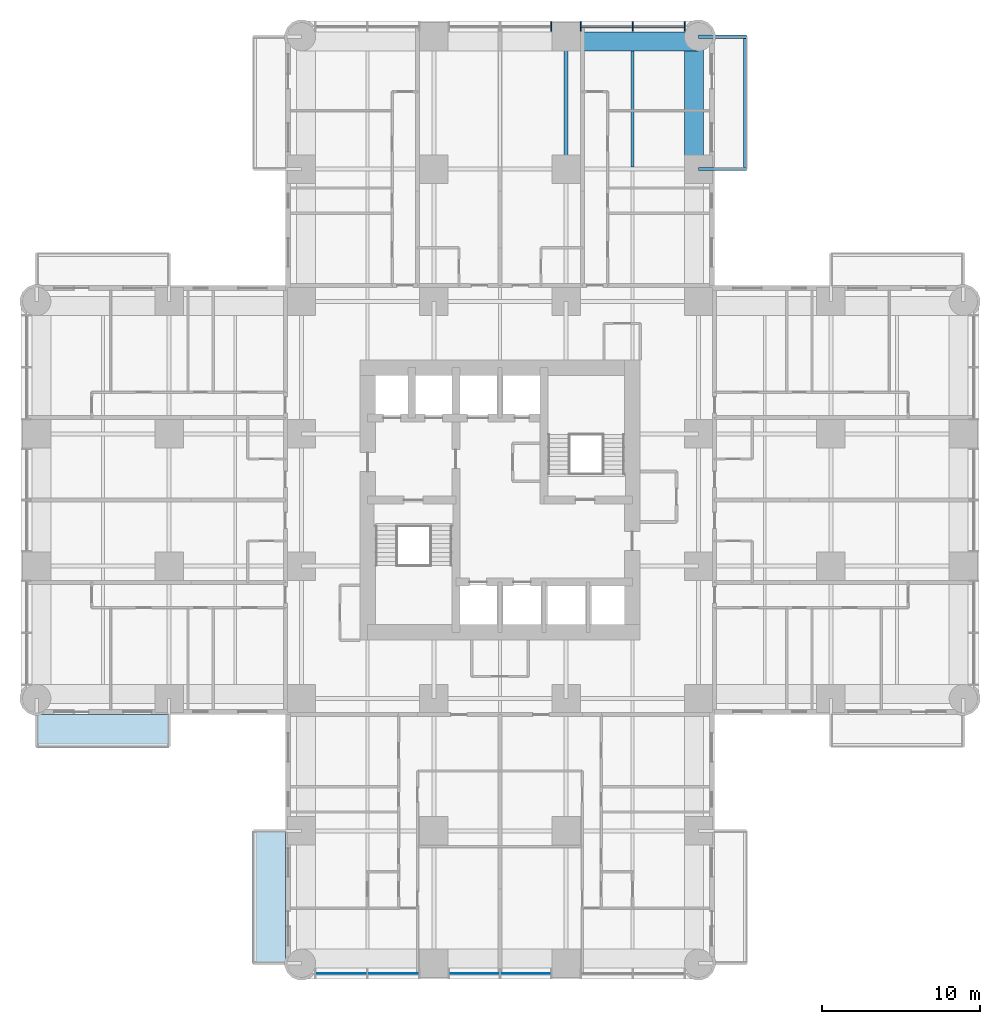
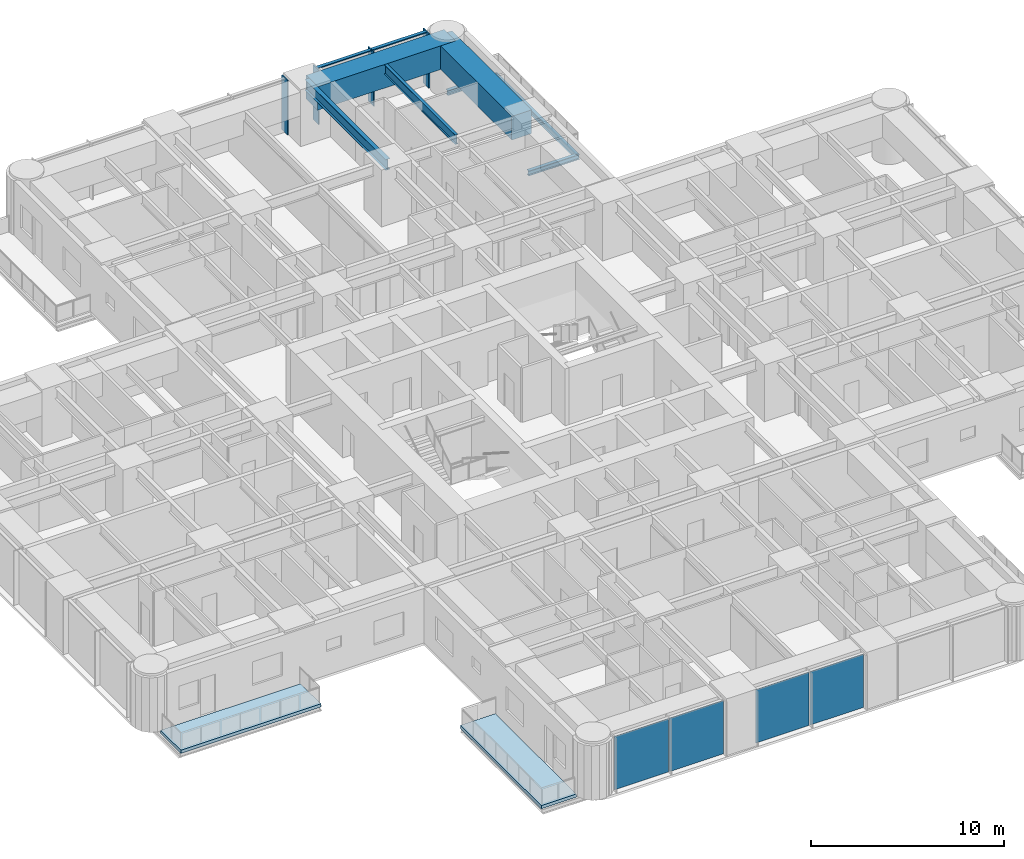
# One storey, part 5 of 17: 7 beams, 6 members, 4 plates, 2 slabs, 2 elements without a shape of their own.
"""IFC4 building model written with IfcOpenShell, lengths in metres."""

from ifc_helpers import new_model, si_unit, direction, frame, origin, origin_2d, place, context, subcontext, project, spatial, polyline, rectangle, i_section, outline, extrude, material, layer, layer_set, material_profile, profile_set, type_object, element, aggregate, save


model = new_model("IFC4")

# Units and contexts
model_context = context("Model", 3, precision=1e-05, world=origin(), true_north=direction((0.0, 1.0)))
body_context = subcontext(model_context, "Body", "Model", "MODEL_VIEW")
ifc_project = project(units=[si_unit("LENGTHUNIT", "METRE"), si_unit("AREAUNIT", "SQUARE_METRE"), si_unit("VOLUMEUNIT", "CUBIC_METRE"), si_unit("PLANEANGLEUNIT", "RADIAN"), si_unit("MASSUNIT", "GRAM", prefix="KILO")], contexts=[model_context])

# Site, building, storey
site_placement = place(None, origin())
site = spatial("IfcSite", under=ifc_project, at=site_placement, CompositionType="ELEMENT")
building_placement = place(site_placement, origin())
building = spatial("IfcBuilding", under=site, at=building_placement, Name="Torre Alcanfor", CompositionType="ELEMENT")
storey_placement = place(building_placement, frame((0.0, 0.0, 88.5)))
storey = spatial("IfcBuildingStorey", under=building, at=storey_placement, Name="L22", CompositionType="ELEMENT", Elevation=88.5)

# Beams
ifc_material_1 = material(Name="Steel ASTM A992 Grade 50", Category="steel")
ifc_material_profile_1 = material_profile(ifc_material_1, i_section(OverallWidth=0.205322265625, OverallDepth=0.309814453125, WebThickness=0.00927734375, FlangeThickness=0.016357421875, at=origin_2d()), Name="W12x50")
ifc_profile_set_1 = profile_set([ifc_material_profile_1], Name="Steel ASTM A992 Grade 50")
beam_type_1 = type_object("IfcBeamType", Name="Balcony cantilever beam W12x50", PredefinedType="BEAM", material=ifc_profile_set_1)
for number, where, z_axis, x_axis, name in (
    (1, (42.0, 50.39990234375, -0.35498046875), (1.0, 0.0, 0.0), (0.0, 1.0, 0.0), "Balcony cantilever beam L22-N2 1"),
    (2, (42.0, 58.800048828125, -0.35498046875), (1.0, 0.0, 0.0), (0.0, 1.0, 0.0), "Balcony cantilever beam L22-N2 2"),
):
    element("IfcBeam", number, at=place(storey_placement, frame(where, z_axis=z_axis, x_axis=x_axis)), inside=storey, type_object=beam_type_1, Name=name, PredefinedType="BEAM", context=body_context, shape_type="SweptSolid", body=[
        extrude(i_section(OverallWidth=0.205322265625, OverallDepth=0.309814453125, WebThickness=0.00927734375, FlangeThickness=0.016357421875, at=origin_2d()), origin(), (0.0, 0.0, 1.0), 3.050048828125),
    ])
ifc_material_2 = material(Name="Steel ASTM A992 Grade 50", Category="steel")
ifc_material_profile_2 = material_profile(ifc_material_2, i_section(OverallWidth=0.203369140625, OverallDepth=0.30224609375, WebThickness=0.007568359375, FlangeThickness=0.01318359375, at=origin_2d()), Name="W12x40")
ifc_profile_set_2 = profile_set([ifc_material_profile_2], Name="Steel ASTM A992 Grade 50")
beam_type_2 = type_object("IfcBeamType", Name="Balcony edge trimmer W12x40", PredefinedType="BEAM", material=ifc_profile_set_2)
beam_1_placement = place(storey_placement, frame((44.9482421875, 50.39990234375, -0.35107421875), z_axis=(0.0, 1.0, 0.0), x_axis=(-1.0, 0.0, 0.0)))
element("IfcBeam", 3, at=beam_1_placement, inside=storey, type_object=beam_type_2, Name="Balcony edge trimmer L22-N2", PredefinedType="BEAM", context=body_context, shape_type="SweptSolid", body=[
    extrude(i_section(OverallWidth=0.203369140625, OverallDepth=0.30224609375, WebThickness=0.007568359375, FlangeThickness=0.01318359375, at=origin_2d()), origin(), (0.0, 0.0, 1.0), 8.400146484375),
])

# Curtain wall, members
ifc_material_3 = material(Name="Aluminium and glass", Category="aluminium")
curtain_wall_type = type_object("IfcCurtainWallType", Name="CW-A unitised apartment glazing with vertical FIN", PredefinedType="NOTDEFINED", material=ifc_material_3)
curtain_wall_1_placement = place(storey_placement, origin())
curtain_wall_1 = element("IfcCurtainWall", 4, at=curtain_wall_1_placement, inside=storey, type_object=curtain_wall_type, Name="Curtain wall CW-A L22 11", PredefinedType="NOTDEFINED")
ifc_material_4 = material(Name="Bronze anodised aluminium", Category="aluminium")
ifc_material_profile_3 = material_profile(ifc_material_4, rectangle(XDim=0.60009765625, YDim=0.06494140625, at=origin_2d()), Name="CW-A mullion 65x600")
ifc_profile_set_3 = profile_set([ifc_material_profile_3], Name="Bronze anodised aluminium")
member_type_1 = type_object("IfcMemberType", Name="CW-A mullion with vertical FIN 65x600", PredefinedType="MULLION", material=ifc_profile_set_3)
member_1_placement = place(storey_placement, frame((41.133056640625, 59.449951171875, 0.0), z_axis=(0.0, 0.0, 1.0), x_axis=(0.0, -1.0, 0.0)))
member_1 = element("IfcMember", 5, at=member_1_placement, type_object=member_type_1, Name="CW-A mullion 1.1", PredefinedType="MULLION", context=body_context, shape_type="SweptSolid", body=[
    extrude(rectangle(XDim=0.60009765625, YDim=0.06494140625, at=origin_2d()), origin(), (0.0, 0.0, 1.0), 3.449951171875),
])
member_2_placement = place(storey_placement, frame((37.835205078125, 59.449951171875, 0.0), z_axis=(0.0, 0.0, 1.0), x_axis=(0.0, -1.0, 0.0)))
member_2 = element("IfcMember", 6, at=member_2_placement, type_object=member_type_1, Name="CW-A mullion 1.2", PredefinedType="MULLION", context=body_context, shape_type="SweptSolid", body=[
    extrude(rectangle(XDim=0.60009765625, YDim=0.06494140625, at=origin_2d()), origin(), (0.0, 0.0, 1.0), 3.449951171875),
])
member_3_placement = place(storey_placement, frame((34.53759765625, 59.449951171875, 0.0), z_axis=(0.0, 0.0, 1.0), x_axis=(0.0, -1.0, 0.0)))
member_3 = element("IfcMember", 7, at=member_3_placement, type_object=member_type_1, Name="CW-A mullion 1.3", PredefinedType="MULLION", context=body_context, shape_type="SweptSolid", body=[
    extrude(rectangle(XDim=0.60009765625, YDim=0.06494140625, at=origin_2d()), origin(), (0.0, 0.0, 1.0), 3.449951171875),
])
member_4_placement = place(storey_placement, frame((32.66259765625, 59.449951171875, 0.0), z_axis=(0.0, 0.0, 1.0), x_axis=(0.0, -1.0, 0.0)))
member_4 = element("IfcMember", 8, at=member_4_placement, type_object=member_type_1, Name="CW-A mullion 2.1", PredefinedType="MULLION", context=body_context, shape_type="SweptSolid", body=[
    extrude(rectangle(XDim=0.60009765625, YDim=0.06494140625, at=origin_2d()), origin(), (0.0, 0.0, 1.0), 3.449951171875),
])
ifc_material_5 = material(Name="Extruded aluminium", Category="aluminium")
ifc_material_profile_4 = material_profile(ifc_material_5, rectangle(XDim=0.199951171875, YDim=0.06494140625, at=origin_2d()), Name="CW-A transom 200x65")
ifc_profile_set_4 = profile_set([ifc_material_profile_4], Name="Extruded aluminium")
member_type_2 = type_object("IfcMemberType", Name="CW-A transom 65x200", PredefinedType="USERDEFINED", material=ifc_profile_set_4)
member_5_placement = place(storey_placement, frame((41.1005859375, 59.449951171875, 3.41748046875), z_axis=(-1.0, 0.0, 0.0), x_axis=(0.0, -1.0, 0.0)))
member_5 = element("IfcMember", 9, at=member_5_placement, type_object=member_type_2, Name="CW-A transom 1.1.2", ObjectType="TRANSOM", PredefinedType="USERDEFINED", context=body_context, shape_type="SweptSolid", body=[
    extrude(rectangle(XDim=0.199951171875, YDim=0.06494140625, at=origin_2d()), origin(), (0.0, 0.0, 1.0), 3.23291015625),
])
member_6_placement = place(storey_placement, frame((37.802734375, 59.449951171875, 3.41748046875), z_axis=(-1.0, 0.0, 0.0), x_axis=(0.0, -1.0, 0.0)))
member_6 = element("IfcMember", 10, at=member_6_placement, type_object=member_type_2, Name="CW-A transom 1.2.2", ObjectType="TRANSOM", PredefinedType="USERDEFINED", context=body_context, shape_type="SweptSolid", body=[
    extrude(rectangle(XDim=0.199951171875, YDim=0.06494140625, at=origin_2d()), origin(), (0.0, 0.0, 1.0), 3.232666015625),
])
aggregate(curtain_wall_1, [member_1, member_2, member_3, member_5, member_6, member_4])

# Beams
ifc_material_6 = material(Name="Steel ASTM A992 Grade 50", Category="steel")
ifc_material_profile_5 = material_profile(ifc_material_6, i_section(OverallWidth=0.25390625, OverallDepth=0.683349609375, WebThickness=0.012451171875, FlangeThickness=0.01904296875, at=origin_2d()), Name="W27x94")
ifc_profile_set_5 = profile_set([ifc_material_profile_5], Name="Steel ASTM A992 Grade 50")
beam_type_3 = type_object("IfcBeamType", Name="Girder W27x94", PredefinedType="BEAM", material=ifc_profile_set_5)
beam_2_placement = place(storey_placement, frame((33.60009765625, 50.39990234375, 3.1083984375), z_axis=(0.0, 1.0, 0.0), x_axis=(-1.0, 0.0, 0.0)))
element("IfcBeam", 11, at=beam_2_placement, inside=storey, type_object=beam_type_3, Name="Beam 5J-5K under L23", PredefinedType="BEAM", context=body_context, shape_type="SweptSolid", body=[
    extrude(i_section(OverallWidth=0.25390625, OverallDepth=0.683349609375, WebThickness=0.012451171875, FlangeThickness=0.01904296875, at=origin_2d()), origin(), (0.0, 0.0, 1.0), 8.400146484375),
])
ifc_material_7 = material(Name="Concrete f'c 70 MPa", Category="concrete")
ifc_material_profile_6 = material_profile(ifc_material_7, rectangle(XDim=1.199951171875, YDim=1.5, at=origin_2d()), Name="1200x1500")
ifc_profile_set_6 = profile_set([ifc_material_profile_6], Name="Concrete f'c 70 MPa")
beam_type_4 = type_object("IfcBeamType", Name="RC perimeter beam 1200x1500", PredefinedType="BEAM", material=ifc_profile_set_6)
for number, where, z_axis, x_axis, name in (
    (12, (33.72705078125, 58.5, 2.699951171875), (1.0, 0.0, 0.0), (0.0, 1.0, 0.0), "Beam 5K-6K under L23"),
    (13, (41.699951171875, 50.527099609375, 2.699951171875), (0.0, 1.0, 0.0), (-1.0, 0.0, 0.0), "Beam 6J-6K under L23"),
):
    element("IfcBeam", number, at=place(storey_placement, frame(where, z_axis=z_axis, x_axis=x_axis)), inside=storey, type_object=beam_type_4, Name=name, PredefinedType="BEAM", context=body_context, shape_type="SweptSolid", body=[
        extrude(rectangle(XDim=1.199951171875, YDim=1.5, at=origin_2d()), origin(), (0.0, 0.0, 1.0), 8.27294921875),
    ])
ifc_material_8 = material(Name="Steel ASTM A992 Grade 50", Category="steel")
ifc_material_profile_7 = material_profile(ifc_material_8, i_section(OverallWidth=0.1787109375, OverallDepth=0.60205078125, WebThickness=0.010986328125, FlangeThickness=0.014892578125, at=origin_2d()), Name="W24x62")
ifc_profile_set_7 = profile_set([ifc_material_profile_7], Name="Steel ASTM A992 Grade 50")
beam_type_5 = type_object("IfcBeamType", Name="Secondary beam W24x62", PredefinedType="BEAM", material=ifc_profile_set_7)
beam_3_placement = place(storey_placement, frame((37.800048828125, 50.527099609375, 3.14892578125), z_axis=(0.0, 1.0, 0.0), x_axis=(-1.0, 0.0, 0.0)))
element("IfcBeam", 14, at=beam_3_placement, inside=storey, type_object=beam_type_5, Name="Beam 37_8J-37_8K under L23", PredefinedType="BEAM", context=body_context, shape_type="SweptSolid", body=[
    extrude(i_section(OverallWidth=0.1787109375, OverallDepth=0.60205078125, WebThickness=0.010986328125, FlangeThickness=0.014892578125, at=origin_2d()), origin(), (0.0, 0.0, 1.0), 7.372802734375),
])

# Slabs
ifc_material_9 = material(Name="Concrete f'c 35 MPa", Category="concrete")
ifc_layer_1 = layer(ifc_material_9, 0.199951171875)
ifc_layer_set_1 = layer_set([ifc_layer_1], Name="Balcony slab 200")
slab_type = type_object("IfcSlabType", Name="Balcony slab 200", PredefinedType="FLOOR", material=ifc_layer_set_1)
slab_1_placement = place(storey_placement, frame((0.0, 0.0, -0.199951171875)))
element("IfcSlab", 15, at=slab_1_placement, inside=storey, type_object=slab_type, Name="Balcony L22-S2", PredefinedType="FLOOR", context=body_context, shape_type="SweptSolid", body=[
    extrude(outline(polyline([(13.699951171875, 8.39990234375), (13.699951171875, 0.0), (15.800048828125, 0.0), (15.800048828125, 8.39990234375), (13.699951171875, 8.39990234375)])), origin(), (0.0, 0.0, 1.0), 0.199951171875),
])
slab_2_placement = place(storey_placement, frame((0.0, 0.0, -0.199951171875)))
element("IfcSlab", 16, at=slab_2_placement, inside=storey, type_object=slab_type, Name="Balcony L22-W1", PredefinedType="FLOOR", context=body_context, shape_type="SweptSolid", body=[
    extrude(outline(polyline([(8.39990234375, 15.800048828125), (0.0, 15.800048828125), (0.0, 13.699951171875), (8.39990234375, 13.699951171875), (8.39990234375, 15.800048828125)])), origin(), (0.0, 0.0, 1.0), 0.199951171875),
])

# Curtain wall, plates
curtain_wall_2_placement = place(storey_placement, origin())
curtain_wall_2 = element("IfcCurtainWall", 17, at=curtain_wall_2_placement, inside=storey, type_object=curtain_wall_type, Name="Curtain wall CW-A L22 5", PredefinedType="NOTDEFINED")
ifc_material_10 = material(Name="Glass", Category="glass")
ifc_layer_2 = layer(ifc_material_10, 0.028076171875)
ifc_layer_set_2 = layer_set([ifc_layer_2], Name="CW-A clear double glazed unit")
plate_type = type_object("IfcPlateType", Name="CW-A clear double glazed unit", PredefinedType="CURTAIN_PANEL", material=ifc_layer_set_2)
plate_1_placement = place(storey_placement, frame((19.31591796875, -0.64990234375, 0.0), z_axis=(0.0, 0.0, 1.0), x_axis=(1.0, 0.0, 0.0)))
plate_1 = element("IfcPlate", 18, at=plate_1_placement, type_object=plate_type, Name="CW-A panel 1.1.1", PredefinedType="CURTAIN_PANEL", context=body_context, shape_type="SweptSolid", body=[
    extrude(rectangle(XDim=3.232666015625, YDim=0.028076171875, at=origin_2d()), origin(), (0.0, 0.0, 1.0), 3.385009765625),
])
plate_2_placement = place(storey_placement, frame((22.613525390625, -0.64990234375, 0.0), z_axis=(0.0, 0.0, 1.0), x_axis=(1.0, 0.0, 0.0)))
plate_2 = element("IfcPlate", 19, at=plate_2_placement, type_object=plate_type, Name="CW-A panel 1.2.1", PredefinedType="CURTAIN_PANEL", context=body_context, shape_type="SweptSolid", body=[
    extrude(rectangle(XDim=3.232666015625, YDim=0.028076171875, at=origin_2d()), origin(), (0.0, 0.0, 1.0), 3.385009765625),
])
plate_3_placement = place(storey_placement, frame((27.768798828125, -0.64990234375, 0.0), z_axis=(0.0, 0.0, 1.0), x_axis=(1.0, 0.0, 0.0)))
plate_3 = element("IfcPlate", 20, at=plate_3_placement, type_object=plate_type, Name="CW-A panel 2.1.1", PredefinedType="CURTAIN_PANEL", context=body_context, shape_type="SweptSolid", body=[
    extrude(rectangle(XDim=3.197509765625, YDim=0.028076171875, at=origin_2d()), origin(), (0.0, 0.0, 1.0), 3.385009765625),
])
plate_4_placement = place(storey_placement, frame((31.03125, -0.64990234375, 0.0), z_axis=(0.0, 0.0, 1.0), x_axis=(1.0, 0.0, 0.0)))
plate_4 = element("IfcPlate", 21, at=plate_4_placement, type_object=plate_type, Name="CW-A panel 2.2.1", PredefinedType="CURTAIN_PANEL", context=body_context, shape_type="SweptSolid", body=[
    extrude(rectangle(XDim=3.197509765625, YDim=0.028076171875, at=origin_2d()), origin(), (0.0, 0.0, 1.0), 3.385009765625),
])
aggregate(curtain_wall_2, [plate_1, plate_2, plate_3, plate_4])

save(model, "model.ifc")
